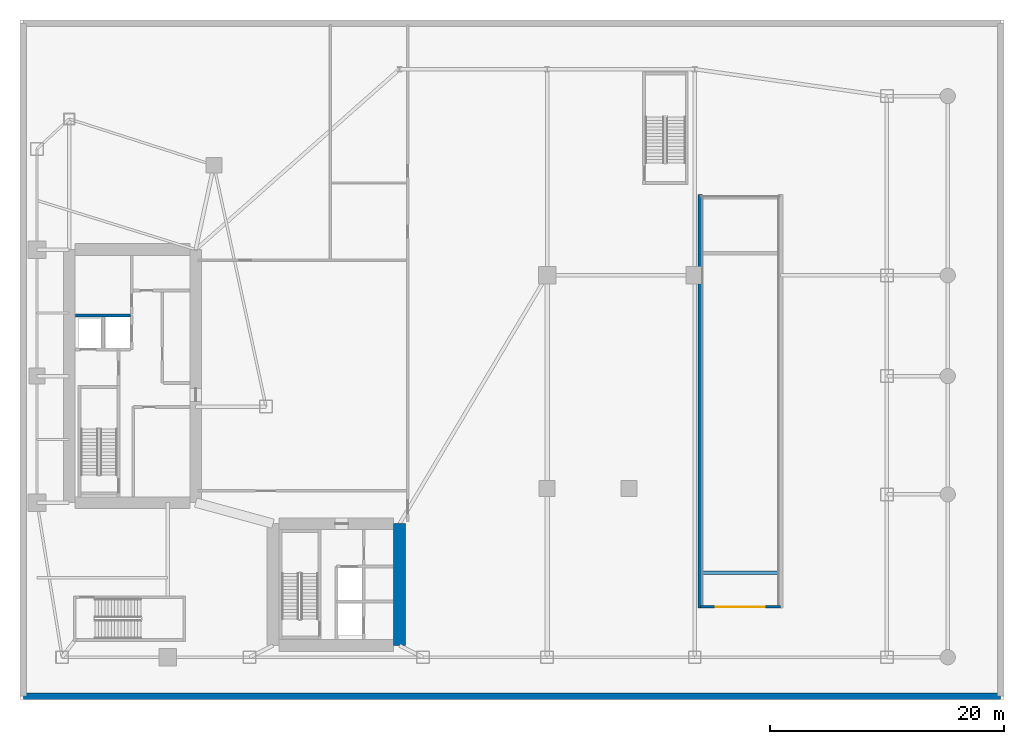
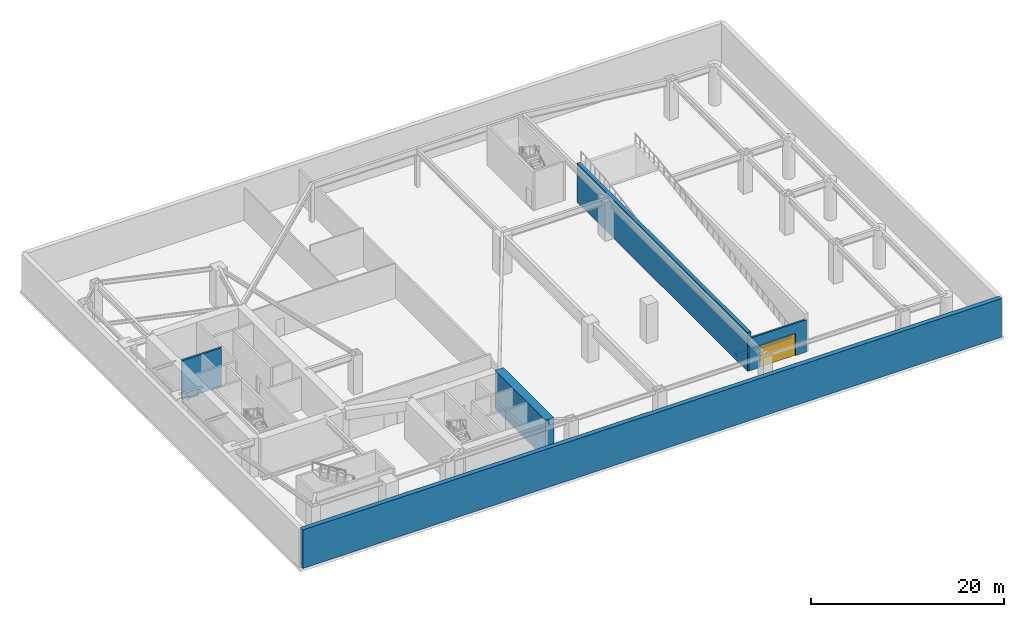
# One storey, part 6 of 13: 6 walls, 1 door, 1 opening.
"""IFC4 building model written with IfcOpenShell, lengths in metres."""

from ifc_helpers import new_model, si_unit, direction, frame, frame_2d, origin, place, context, subcontext, project, spatial, rectangle, extrude, material, layer, layer_set, type_object, element, fill, save


model = new_model("IFC4")

# Units and contexts
model_context = context("Model", 3, precision=1e-05, world=origin(), true_north=direction((0.0, 1.0)))
body_context = subcontext(model_context, "Body", "Model", "MODEL_VIEW")
ifc_project = project(units=[si_unit("LENGTHUNIT", "METRE"), si_unit("AREAUNIT", "SQUARE_METRE"), si_unit("VOLUMEUNIT", "CUBIC_METRE"), si_unit("PLANEANGLEUNIT", "RADIAN"), si_unit("MASSUNIT", "GRAM", prefix="KILO")], contexts=[model_context])

# Site, building, storey
site_placement = place(None, origin())
site = spatial("IfcSite", under=ifc_project, at=site_placement, CompositionType="ELEMENT")
building_placement = place(site_placement, origin())
building = spatial("IfcBuilding", under=site, at=building_placement, Name="Calvorn Quay Hotel", CompositionType="ELEMENT")
storey_placement = place(building_placement, frame((0.0, 0.0, -5.199951171875)))
storey = spatial("IfcBuildingStorey", under=building, at=storey_placement, Name="B1", CompositionType="ELEMENT", Elevation=-5.199951171875)

# Walls
ifc_material_1 = material(Name="Concrete C45", Category="concrete")
ifc_layer_1 = layer(ifc_material_1, 0.550048828125)
ifc_layer_set_1 = layer_set([ifc_layer_1], Name="WL-BSM-RET-550")
wall_type_1 = type_object("IfcWallType", Name="WL-BSM-RET-550", PredefinedType="USERDEFINED", material=ifc_layer_set_1)
wall_1_placement = place(storey_placement, frame((0.280029296875, 0.280029296875, 0.0), z_axis=(0.0, 0.0, 1.0), x_axis=(1.0, 0.0, 0.0)))
element("IfcWall", 1, at=wall_1_placement, inside=storey, type_object=wall_type_1, Name="B1 Retaining Wall S", ObjectType="RETAINING", PredefinedType="USERDEFINED", context=body_context, shape_type="SweptSolid", body=[
    extrude(rectangle(XDim=83.43994140625, YDim=0.550048828125, at=frame_2d((41.719970703125, 0.0))), origin(), (0.0, 0.0, 1.0), 4.8798828125),
])
wall_2_placement = place(storey_placement, frame((58.080078125, 7.800048828125, 0.0), z_axis=(0.0, 0.0, 1.0), x_axis=(0.0, 1.0, 0.0)))
element("IfcWall", 2, at=wall_2_placement, inside=storey, type_object=wall_type_1, Name="Vehicle Ramp Cheek Wall B1-W", ObjectType="RETAINING", PredefinedType="USERDEFINED", context=body_context, shape_type="SweptSolid", body=[
    extrude(rectangle(XDim=35.300048828125, YDim=0.39990234375, at=frame_2d((17.64990234375, 0.0))), origin(), (0.0, 0.0, 1.0), 4.8798828125),
])
ifc_material_2 = material(Name="Concrete C60", Category="concrete")
ifc_layer_2 = layer(ifc_material_2, 1.0)
ifc_layer_set_2 = layer_set([ifc_layer_2], Name="WL-CORE-1000")
wall_type_2 = type_object("IfcWallType", Name="WL-CORE-1000", PredefinedType="SHEAR", material=ifc_layer_set_2)
wall_3_placement = place(storey_placement, frame((32.39990234375, 4.60009765625, 0.0), z_axis=(0.0, 0.0, 1.0), x_axis=(0.0, 1.0, 0.0)))
element("IfcWall", 3, at=wall_3_placement, inside=storey, type_object=wall_type_2, Name="East Core Shear Wall E (B1)", PredefinedType="SHEAR", context=body_context, shape_type="SweptSolid", body=[
    extrude(rectangle(XDim=10.39990234375, YDim=1.0, at=frame_2d((5.199951171875, 0.0))), origin(), (0.0, 0.0, 1.0), 4.8798828125),
])

# Wall, opening, door
ifc_material_3 = material(Name="Autoclaved Aerated Masonry Block", Category="masonry")
ifc_layer_3 = layer(ifc_material_3, 0.219970703125)
ifc_layer_set_3 = layer_set([ifc_layer_3], Name="WL-LOBBY-FIRE-220")
wall_type_3 = type_object("IfcWallType", Name="WL-LOBBY-FIRE-220", PredefinedType="SOLIDWALL", material=ifc_layer_set_3)
wall_4_placement = place(storey_placement, frame((58.080078125, 7.89990234375, 0.0), z_axis=(0.0, 0.0, 1.0), x_axis=(1.0, 0.0, 0.0)))
wall_4 = element("IfcWall", 4, at=wall_4_placement, inside=storey, type_object=wall_type_3, Name="Partition Wall B1-WL-B1-RAMP-PORTAL", PredefinedType="SOLIDWALL", context=body_context, shape_type="SweptSolid", body=[
    extrude(rectangle(XDim=6.83984375, YDim=0.219970703125, at=frame_2d((3.419921875, 0.0))), origin(), (0.0, 0.0, 1.0), 4.079833984375),
])
opening_placement = place(wall_4_placement, frame((1.300048828125, 0.0, 0.0)))
opening = element("IfcOpeningElement", 5, at=opening_placement, cuts=wall_4, Name="Opening VG-02", PredefinedType="OPENING", context=body_context, shape_type="SweptSolid", body=[
    extrude(rectangle(XDim=4.199951171875, YDim=2.800048828125, at=frame_2d((2.10009765625, 1.39990234375))), frame((0.0, 0.119873046875, 0.0), z_axis=(0.0, -1.0, 0.0), x_axis=(1.0, 0.0, 0.0)), (0.0, 0.0, 1.0), 0.239990234375),
])
ifc_material_4 = material(Name="Perforated Anodised Aluminium Roller Shutter Gate", Category="aluminium")
door_type = type_object("IfcDoorType", Name="DR-VEH-GATE-4200", OperationType="NOTDEFINED", PredefinedType="GATE", material=ifc_material_4)
door_placement = place(opening_placement, origin())
door = element("IfcDoor", 6, at=door_placement, inside=storey, type_object=door_type, Name="Basement Car Park Entry Shutter VG-02", OperationType="ROLLINGUP", OverallHeight=2.800048828125, OverallWidth=4.199951171875, PredefinedType="GATE", context=body_context, shape_type="SweptSolid", body=[
    extrude(rectangle(XDim=4.199951171875, YDim=2.800048828125, at=frame_2d((2.10009765625, 1.39990234375))), frame((0.0, 0.02490234375, 0.0), z_axis=(0.0, -1.0, 0.0), x_axis=(1.0, 0.0, 0.0)), (0.0, 0.0, 1.0), 0.050048828125),
])
fill(opening, door)

# Walls
ifc_material_5 = material(Name="Concrete C40", Category="concrete")
ifc_layer_4 = layer(ifc_material_5, 0.239990234375)
ifc_layer_set_4 = layer_set([ifc_layer_4], Name="WL-SHAFT-240")
wall_type_4 = type_object("IfcWallType", Name="WL-SHAFT-240", PredefinedType="SOLIDWALL", material=ifc_layer_set_4)
wall_5_placement = place(storey_placement, frame((58.199951171875, 10.800048828125, 0.0), z_axis=(0.0, 0.0, 1.0), x_axis=(1.0, 0.0, 0.0)))
element("IfcWall", 7, at=wall_5_placement, inside=storey, type_object=wall_type_4, Name="Vehicle Ramp Support Pier B1-1", PredefinedType="SOLIDWALL", context=body_context, shape_type="SweptSolid", body=[
    extrude(rectangle(XDim=6.60009765625, YDim=0.300048828125, at=frame_2d((3.300048828125, 0.0))), origin(), (0.0, 0.0, 1.0), 0.39990234375),
])
wall_6_placement = place(storey_placement, frame((4.719970703125, 32.780029296875, 0.0), z_axis=(0.0, 0.0, 1.0), x_axis=(1.0, 0.0, 0.0)))
element("IfcWall", 8, at=wall_6_placement, inside=storey, type_object=wall_type_4, Name="Partition Wall B1-WL-CWW-SLW-N", PredefinedType="SOLIDWALL", context=body_context, shape_type="SweptSolid", body=[
    extrude(rectangle(XDim=4.699951171875, YDim=0.239990234375, at=frame_2d((2.35009765625, 0.0))), origin(), (0.0, 0.0, 1.0), 4.8798828125),
])

save(model, "model.ifc")
